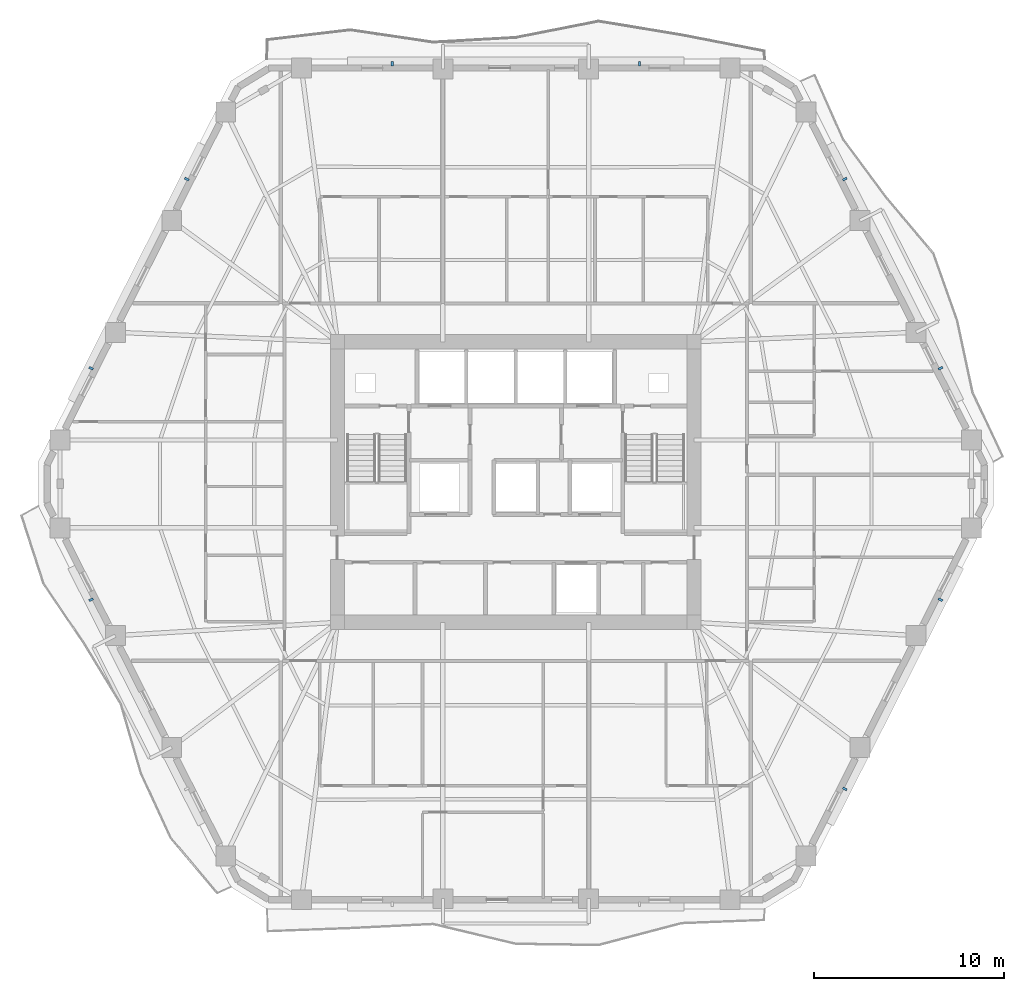
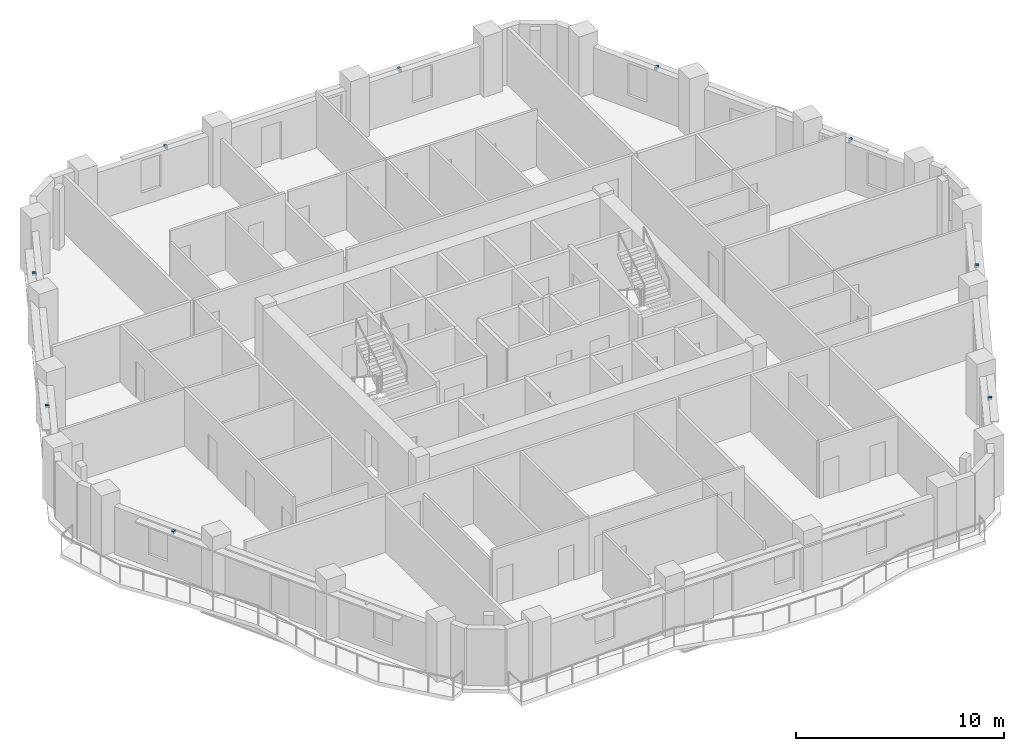
# One storey, part 9 of 12: 9 discrete accessories.
"""IFC4 building model written with IfcOpenShell, lengths in metres."""

from ifc_helpers import new_model, si_unit, direction, frame, origin, origin_2d, place, context, subcontext, project, spatial, rectangle, extrude, material, type_object, element, save


model = new_model("IFC4")

# Units and contexts
model_context = context("Model", 3, precision=1e-05, world=origin(), true_north=direction((0.0, 1.0)))
body_context = subcontext(model_context, "Body", "Model", "MODEL_VIEW")
ifc_project = project(units=[si_unit("LENGTHUNIT", "METRE"), si_unit("AREAUNIT", "SQUARE_METRE"), si_unit("VOLUMEUNIT", "CUBIC_METRE"), si_unit("PLANEANGLEUNIT", "RADIAN"), si_unit("MASSUNIT", "GRAM", prefix="KILO")], contexts=[model_context])

# Site, building, storey
site_placement = place(None, origin())
site = spatial("IfcSite", under=ifc_project, at=site_placement, CompositionType="ELEMENT")
building_placement = place(site_placement, origin())
building = spatial("IfcBuilding", under=site, at=building_placement, Name="Cinnabar Lancet Tower", CompositionType="ELEMENT")
storey_placement = place(building_placement, frame((0.0, 0.0, 109.050048828125)))
storey = spatial("IfcBuildingStorey", under=building, at=storey_placement, Name="L28", CompositionType="ELEMENT", Elevation=109.050048828125)

# Discrete accessories
ifc_material = material(Name="Stainless steel 316 facade fixing bracket", Category="steel")
discrete_accessory_type = type_object("IfcDiscreteAccessoryType", Name="ENV-ACC-BRK-180", PredefinedType="BRACKET", material=ifc_material)
for number, where, z_axis, x_axis, name in (
    (1, (49.698974609375, 9.77197265625, 2.60009765625), (0.0, 0.0, 1.0), (0.451453853408, 0.892294468347, 0.0), "L28 Face 2 Sunshade Bracket A"),
    (2, (54.72998046875, 19.717041015625, 2.60009765625), (0.0, 0.0, 1.0), (0.451453853408, 0.892294468347, 0.0), "L28 Face 2 Sunshade Bracket B"),
    (3, (54.72998046875, 31.883056640625, 2.60009765625), (0.0, 0.0, 1.0), (-0.451453853408, 0.892294468347, 0.0), "L28 Face 3 Sunshade Bracket A"),
    (4, (49.698974609375, 41.827880859375, 2.60009765625), (0.0, 0.0, 1.0), (-0.451453853408, 0.892294468347, 0.0), "L28 Face 3 Sunshade Bracket B"),
    (5, (38.90087890625, 47.889892578125, 2.60009765625), (0.0, 0.0, 1.0), (-1.0, 0.0, 0.0), "L28 Face 4 Sunshade Bracket A"),
    (6, (25.89892578125, 47.889892578125, 2.60009765625), (0.0, 0.0, 1.0), (-1.0, 0.0, 0.0), "L28 Face 4 Sunshade Bracket B"),
    (7, (15.10107421875, 41.827880859375, 2.60009765625), (0.0, 0.0, 1.0), (-0.451453853408, -0.892294468347, 0.0), "L28 Face 5 Sunshade Bracket A"),
    (8, (10.070068359375, 31.883056640625, 2.60009765625), (0.0, 0.0, 1.0), (-0.451453853408, -0.892294468347, 0.0), "L28 Face 5 Sunshade Bracket B"),
    (9, (10.070068359375, 19.717041015625, 2.60009765625), (0.0, 0.0, 1.0), (0.451453853408, -0.892294468347, 0.0), "L28 Face 6 Sunshade Bracket A"),
):
    element("IfcDiscreteAccessory", number, at=place(storey_placement, frame(where, z_axis=z_axis, x_axis=x_axis)), inside=storey, type_object=discrete_accessory_type, Name=name, PredefinedType="BRACKET", context=body_context, shape_type="SweptSolid", body=[
        extrude(rectangle(XDim=0.1201171875, YDim=0.239990234375, at=origin_2d()), origin(), (0.0, 0.0, 1.0), 0.159912109375),
    ])

save(model, "model.ifc")
